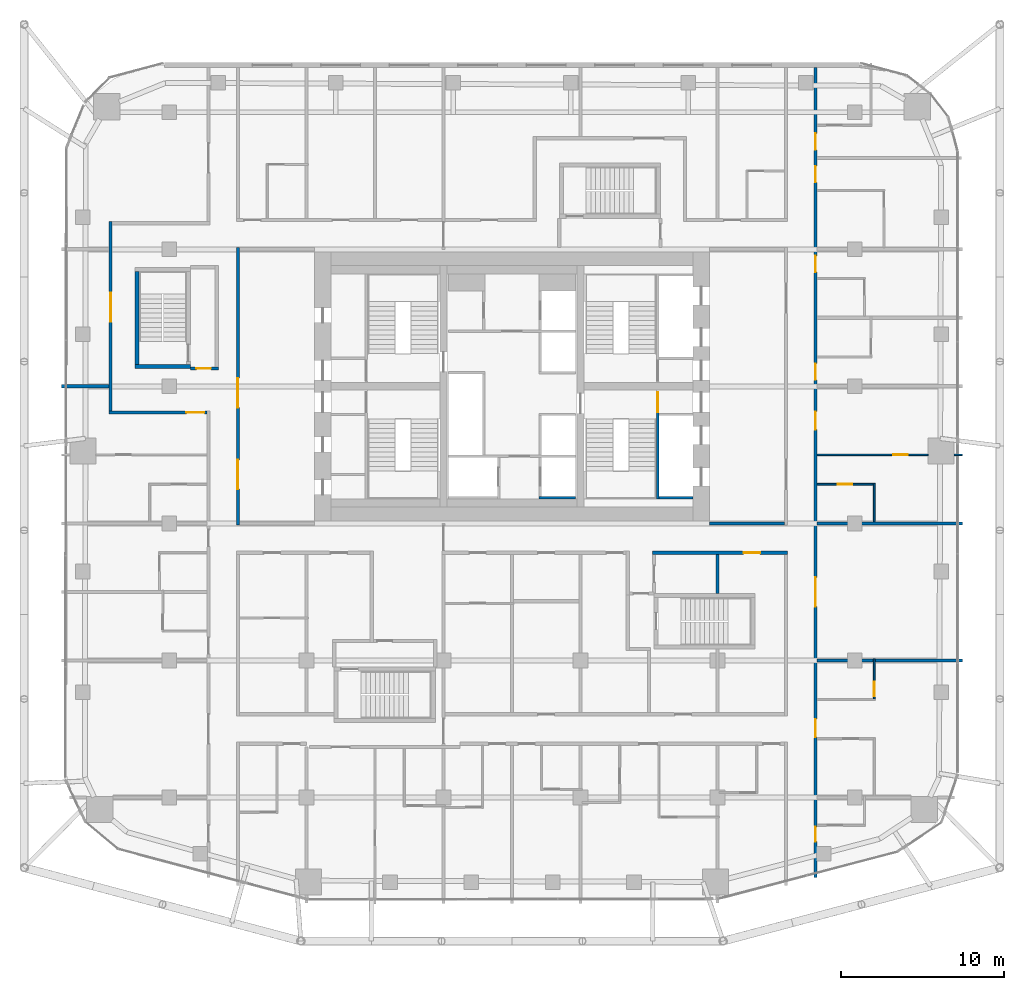
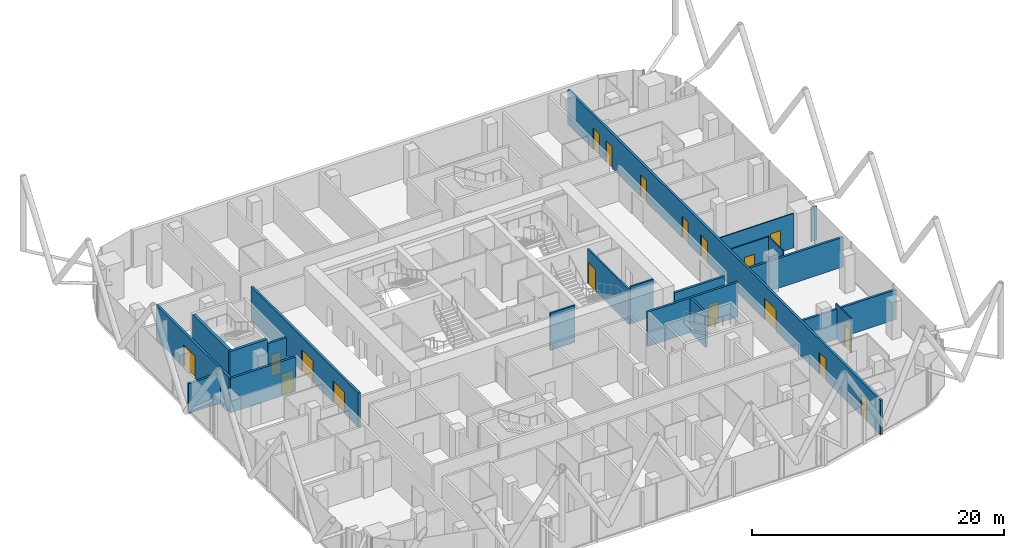
# One storey, part 30 of 36: 21 walls, 18 doors, 18 openings.
"""IFC4 building model written with IfcOpenShell, lengths in metres."""

import ifcopenshell
import ifcopenshell.guid

model = None  # the IFC model being written
_history = None  # IfcOwnerHistory: only IFC2X3 demands one
_inside = {}  # id of a spatial element -> (the spatial element, [elements in it])
_under = {}  # id of a project, library or spatial element -> (it, [spatial elements below it])
_declared = {}  # id of a project -> (the project, [libraries it declares])
_typed = {}  # id of a type object -> (the type object, [elements of that type])
_made_of = {}  # id of a material, layer set ... -> (it, [elements and type objects made of it])


def new_model(schema):
    """Start an empty IFC model of exactly this schema.

    Asked for "IFC4X3", IfcOpenShell would pick the latest addendum, in which some entities
    have other attributes; the version numbers below select the first issue.
    IFC2X3 requires an IfcOwnerHistory on every rooted entity: one is made here for all.
    """
    global model, _history
    if schema == "IFC4X3":
        model = ifcopenshell.file(schema_version=(4, 3, 0, 0))
    else:
        model = ifcopenshell.file(schema=schema)
    _inside.clear()
    _under.clear()
    _declared.clear()
    _typed.clear()
    _made_of.clear()
    _history = None
    if model.schema == "IFC2X3":
        org = make("IfcOrganization", Name="unknown")
        user = make(
            "IfcPersonAndOrganization",
            ThePerson=make("IfcPerson", FamilyName="unknown"),
            TheOrganization=org,
        )
        app = make(
            "IfcApplication",
            ApplicationDeveloper=org,
            Version="unknown",
            ApplicationFullName="unknown",
            ApplicationIdentifier="unknown",
        )
        _history = make(
            "IfcOwnerHistory",
            OwningUser=user,
            OwningApplication=app,
            ChangeAction="ADDED",
            CreationDate=0,
        )
    return model


def make(cls, **values):
    """One entity of the class cls with the attributes given. An attribute that is None is left unset."""
    return model.create_entity(
        cls, **{name: value for name, value in values.items() if value is not None}
    )


def rooted(cls, **values):
    """An entity with a GlobalId (a new one), such as an element, a storey or a relation."""
    return make(cls, GlobalId=ifcopenshell.guid.new(), OwnerHistory=_history, **values)


def si_unit(unit_type, name, prefix=None):
    """IfcSIUnit, for example si_unit("LENGTHUNIT", "METRE", prefix="MILLI")."""
    return make("IfcSIUnit", UnitType=unit_type, Prefix=prefix, Name=name)


def assignment(units):
    """IfcUnitAssignment: the units of a project."""
    return None if units is None else make("IfcUnitAssignment", Units=units)


def point(xyz):
    """IfcCartesianPoint."""
    return None if xyz is None else make("IfcCartesianPoint", Coordinates=xyz)


def direction(xyz):
    """IfcDirection."""
    return None if xyz is None else make("IfcDirection", DirectionRatios=xyz)


def frame(location, z_axis=None, x_axis=None):
    """IfcAxis2Placement3D, a coordinate frame: its origin and axes. An axis left out is left unset."""
    return make(
        "IfcAxis2Placement3D",
        Location=point(location),
        Axis=direction(z_axis),
        RefDirection=direction(x_axis),
    )


def frame_2d(location, x_axis=None):
    """IfcAxis2Placement2D, a coordinate frame in the plane: its origin and x axis."""
    return make(
        "IfcAxis2Placement2D", Location=point(location), RefDirection=direction(x_axis)
    )


def origin():
    """The frame at (0, 0, 0) with its axes left unset."""
    return frame((0.0, 0.0, 0.0))


def place(relative_to, where):
    """IfcLocalPlacement: puts the frame where relative to a parent placement (None: the world)."""
    return make(
        "IfcLocalPlacement", PlacementRelTo=relative_to, RelativePlacement=where
    )


def context(
    kind, dimensions, precision=None, world=None, true_north=None, identifier=None
):
    """IfcGeometricRepresentationContext, for example the 3D "Model" context."""
    return make(
        "IfcGeometricRepresentationContext",
        ContextIdentifier=identifier,
        ContextType=kind,
        CoordinateSpaceDimension=dimensions,
        Precision=precision,
        WorldCoordinateSystem=world,
        TrueNorth=true_north,
    )


def subcontext(parent, identifier, kind, view, scale=None):
    """IfcGeometricRepresentationSubContext, for example "Body" below "Model"."""
    return make(
        "IfcGeometricRepresentationSubContext",
        ContextIdentifier=identifier,
        ContextType=kind,
        ParentContext=parent,
        TargetScale=scale,
        TargetView=view,
    )


def project(units=None, contexts=None):
    """IfcProject with its units and contexts."""
    return rooted(
        "IfcProject",
        Name="project",
        RepresentationContexts=contexts,
        UnitsInContext=assignment(units),
    )


def spatial(cls, under=None, at=None, **own):
    """A site, building, storey or space (cls), placed at a placement, below another one or the project."""
    s = rooted(cls, ObjectPlacement=at, **own)
    if under is not None:
        _under.setdefault(under.id(), (under, []))[1].append(s)
    return s


def profile(cls, at=None, kind="AREA", **sizes):
    """A parametric profile (cls). Its sizes go by their IFC names, for example OverallWidth=200.0."""
    return make(cls, ProfileType=kind, Position=at, **sizes)


def rectangle(**sizes):
    """IfcRectangleProfileDef."""
    return profile("IfcRectangleProfileDef", **sizes)


def extrude(swept, where, along, depth):
    """IfcExtrudedAreaSolid: the profile swept, set in the frame where, extruded along a direction by depth."""
    return make(
        "IfcExtrudedAreaSolid",
        SweptArea=swept,
        Position=where,
        ExtrudedDirection=direction(along),
        Depth=depth,
    )


def shape(context_of_items, identifier, shape_type, items):
    """IfcShapeRepresentation: the items that make up one representation, for example the "Body"."""
    return make(
        "IfcShapeRepresentation",
        ContextOfItems=context_of_items,
        RepresentationIdentifier=identifier,
        RepresentationType=shape_type,
        Items=items,
    )


def material(Name=None, Category=None):
    """IfcMaterial."""
    return make("IfcMaterial", Name=Name, Category=Category)


def layer(
    of_material, thickness, ventilated=None, Name=None, Category=None, Priority=None
):
    """IfcMaterialLayer: one layer of a wall or slab, of a material (None: an air gap)."""
    return make(
        "IfcMaterialLayer",
        Material=of_material,
        LayerThickness=thickness,
        IsVentilated=ventilated,
        Name=Name,
        Category=Category,
        Priority=Priority,
    )


def layer_set(layers, Name=None):
    """IfcMaterialLayerSet."""
    return make("IfcMaterialLayerSet", MaterialLayers=layers, LayerSetName=Name)


def made_of(thing, what):
    """Note that an element or type object is made of a material, layer set ...; save() writes the relation."""
    if what is not None:
        _made_of.setdefault(what.id(), (what, []))[1].append(thing)
    return thing


def type_object(cls, material=None, **own):
    """A type object (cls), such as IfcWallType, which elements share."""
    return made_of(rooted(cls, **own), material)


def element(
    cls,
    number,
    at=None,
    inside=None,
    cuts=None,
    type_object=None,
    material=None,
    context=None,
    identifier="Body",
    shape_type=None,
    held_by="IfcProductDefinitionShape",
    body=None,
    shapes=None,
    **own,
):
    """One element of the class cls, such as IfcWall. Its Tag is "e" and its number.

    at: its placement. inside: the storey or other place that contains it. cuts: it is an
    opening in that element (IfcRelVoidsElement). A single representation is given by context,
    identifier, shape_type and body (its items); several are given by shapes. held_by: the class
    of the entity that holds the representations. save() writes the other relations.
    """
    e = rooted(cls, Tag="e%d" % number, ObjectPlacement=at, **own)
    if body is not None:
        shapes = [shape(context, identifier, shape_type, body)]
    if shapes is not None:
        e.Representation = make(held_by, Representations=shapes)
    if inside is not None:
        _inside.setdefault(inside.id(), (inside, []))[1].append(e)
    if cuts is not None:
        rooted(
            "IfcRelVoidsElement", RelatingBuildingElement=cuts, RelatedOpeningElement=e
        )
    if type_object is not None:
        _typed.setdefault(type_object.id(), (type_object, []))[1].append(e)
    return made_of(e, material)


def fill(opening, filler):
    """IfcRelFillsElement: the door or window that sits in an opening."""
    return rooted(
        "IfcRelFillsElement",
        RelatingOpeningElement=opening,
        RelatedBuildingElement=filler,
    )


def aggregate(whole, parts):
    """IfcRelAggregates: a whole, such as a stair, and the parts it consists of."""
    return rooted("IfcRelAggregates", RelatingObject=whole, RelatedObjects=parts)


def save(model, path):
    """Write the relations noted so far, then the file.

    IfcRelAggregates (storeys below a building ...), IfcRelContainedInSpatialStructure (elements
    in a storey), IfcRelDefinesByType, IfcRelAssociatesMaterial and IfcRelDeclares: one each for
    every whole, place, type object, material and project.
    """
    for whole, parts in _under.values():
        aggregate(whole, parts)
    for where, things in _inside.values():
        rooted(
            "IfcRelContainedInSpatialStructure",
            RelatedElements=things,
            RelatingStructure=where,
        )
    for kind, things in _typed.values():
        rooted("IfcRelDefinesByType", RelatedObjects=things, RelatingType=kind)
    for what, things in _made_of.values():
        rooted("IfcRelAssociatesMaterial", RelatedObjects=things, RelatingMaterial=what)
    for by, libraries in _declared.values():
        rooted("IfcRelDeclares", RelatingContext=by, RelatedDefinitions=libraries)
    model.write(path)


model = new_model("IFC4")

# Units and contexts
model_context = context("Model", 3, precision=1e-05, world=origin(), true_north=direction((0.0, 1.0)))
body_context = subcontext(model_context, "Body", "Model", "MODEL_VIEW")
ifc_project = project(units=[si_unit("LENGTHUNIT", "METRE"), si_unit("AREAUNIT", "SQUARE_METRE"), si_unit("VOLUMEUNIT", "CUBIC_METRE"), si_unit("PLANEANGLEUNIT", "RADIAN"), si_unit("MASSUNIT", "GRAM", prefix="KILO")], contexts=[model_context])

# Site, building, storey
site_placement = place(None, origin())
site = spatial("IfcSite", under=ifc_project, at=site_placement, CompositionType="ELEMENT")
building_placement = place(site_placement, origin())
building = spatial("IfcBuilding", under=site, at=building_placement, Name="Marenta Gate Hotel Tower", CompositionType="ELEMENT")
storey_placement = place(building_placement, frame((0.0, 0.0, 158.89990234375)))
storey = spatial("IfcBuildingStorey", under=building, at=storey_placement, Name="L37", CompositionType="ELEMENT", Elevation=158.89990234375)

# Wall, openings, doors
ifc_material_1 = material(Name="Concrete blockwork", Category="masonry")
ifc_layer_1 = layer(ifc_material_1, 0.199951171875)
ifc_layer_set_1 = layer_set([ifc_layer_1], Name="Concrete blockwork")
wall_type_1 = type_object("IfcWallType", Name="Core boundary wall 200 REI 180", PredefinedType="PARTITIONING", material=ifc_layer_set_1)
wall_1_placement = place(storey_placement, frame((-16.800048828125, -0.10009765625, 0.0), z_axis=(0.0, 0.0, 1.0), x_axis=(0.0, 1.0, 0.0)))
wall_1 = element("IfcWall", 1, at=wall_1_placement, inside=storey, type_object=wall_type_1, Name="L37-CP-BW-W", PredefinedType="PARTITIONING", context=body_context, shape_type="SweptSolid", body=[
    extrude(rectangle(XDim=17.0, YDim=0.199951171875, at=frame_2d((8.5, 0.0))), origin(), (0.0, 0.0, 1.0), 3.340087890625),
])
opening_1_placement = place(wall_1_placement, frame((2.199951171875, 0.0, 0.0)))
opening_1 = element("IfcOpeningElement", 2, at=opening_1_placement, cuts=wall_1, Name="Opening ED-Wa-B", PredefinedType="OPENING", context=body_context, shape_type="SweptSolid", body=[
    extrude(rectangle(XDim=1.800048828125, YDim=2.10009765625, at=frame_2d((0.89990234375, 1.050048828125))), frame((0.0, 0.10009765625, 0.0), z_axis=(0.0, -1.0, 0.0), x_axis=(1.0, 0.0, 0.0)), (0.0, 0.0, 1.0), 0.199951171875),
])
opening_2_placement = place(wall_1_placement, frame((7.199951171875, 0.0, 0.0)))
opening_2 = element("IfcOpeningElement", 3, at=opening_2_placement, cuts=wall_1, Name="Opening ED-Wb-B", PredefinedType="OPENING", context=body_context, shape_type="SweptSolid", body=[
    extrude(rectangle(XDim=1.800048828125, YDim=2.10009765625, at=frame_2d((0.89990234375, 1.050048828125))), frame((0.0, 0.10009765625, 0.0), z_axis=(0.0, -1.0, 0.0), x_axis=(1.0, 0.0, 0.0)), (0.0, 0.0, 1.0), 0.199951171875),
])
ifc_material_2 = material(Name="Steel", Category="steel")
door_type_1 = type_object("IfcDoorType", Name="Core lobby entrance door 1800x2100 EI 60", OperationType="DOUBLE_DOOR_SINGLE_SWING", PredefinedType="DOOR", material=ifc_material_2)
door_1_placement = place(opening_1_placement, origin())
door_1 = element("IfcDoor", 4, at=door_1_placement, inside=storey, type_object=door_type_1, Name="ED-Wa-B", OperationType="DOUBLE_DOOR_SINGLE_SWING", OverallHeight=2.10009765625, OverallWidth=1.800048828125, PredefinedType="DOOR", context=body_context, shape_type="SweptSolid", body=[
    extrude(rectangle(XDim=1.800048828125, YDim=2.10009765625, at=frame_2d((0.89990234375, 1.050048828125))), frame((0.0, 0.02490234375, 0.0), z_axis=(0.0, -1.0, 0.0), x_axis=(1.0, 0.0, 0.0)), (0.0, 0.0, 1.0), 0.050048828125),
])
fill(opening_1, door_1)
door_2_placement = place(opening_2_placement, origin())
door_2 = element("IfcDoor", 5, at=door_2_placement, inside=storey, type_object=door_type_1, Name="ED-Wb-B", OperationType="DOUBLE_DOOR_SINGLE_SWING", OverallHeight=2.10009765625, OverallWidth=1.800048828125, PredefinedType="DOOR", context=body_context, shape_type="SweptSolid", body=[
    extrude(rectangle(XDim=1.800048828125, YDim=2.10009765625, at=frame_2d((0.89990234375, 1.050048828125))), frame((0.0, 0.02490234375, 0.0), z_axis=(0.0, -1.0, 0.0), x_axis=(1.0, 0.0, 0.0)), (0.0, 0.0, 1.0), 0.050048828125),
])
fill(opening_2, door_2)

# Walls
wall_2_placement = place(storey_placement, frame((12.10009765625, 0.0, 0.0), z_axis=(0.0, 0.0, 1.0), x_axis=(1.0, 0.0, 0.0)))
element("IfcWall", 6, at=wall_2_placement, inside=storey, type_object=wall_type_1, Name="L37-CP-EW-ES", PredefinedType="PARTITIONING", context=body_context, shape_type="SweptSolid", body=[
    extrude(rectangle(XDim=4.599853515625, YDim=0.199951171875, at=frame_2d((2.2998046875, 0.0))), origin(), (0.0, 0.0, 1.0), 2.89013671875),
])
ifc_material_3 = material(Name="Concrete C40", Category="concrete")
ifc_layer_2 = layer(ifc_material_3, 0.14990234375)
ifc_layer_set_2 = layer_set([ifc_layer_2], Name="Concrete C40")
wall_type_2 = type_object("IfcWallType", Name="Core shaft wall 150 REI 180", PredefinedType="SHEAR", material=ifc_layer_set_2)
wall_3_placement = place(storey_placement, frame((9.0, 1.574951171875, 0.0), z_axis=(0.0, 0.0, 1.0), x_axis=(1.0, 0.0, 0.0)))
element("IfcWall", 7, at=wall_3_placement, inside=storey, type_object=wall_type_2, Name="L37-SHF-SW-ES-5", PredefinedType="SHEAR", context=body_context, shape_type="SweptSolid", body=[
    extrude(rectangle(XDim=2.10009765625, YDim=0.14990234375, at=frame_2d((1.050048828125, 0.0))), origin(), (0.0, 0.0, 1.0), 3.60009765625),
])
wall_4_placement = place(storey_placement, frame((1.64990234375, 1.574951171875, 0.0), z_axis=(0.0, 0.0, 1.0), x_axis=(1.0, 0.0, 0.0)))
element("IfcWall", 8, at=wall_4_placement, inside=storey, type_object=wall_type_2, Name="L37-SHF-CE-S-bot", PredefinedType="SHEAR", context=body_context, shape_type="SweptSolid", body=[
    extrude(rectangle(XDim=2.25, YDim=0.14990234375, at=frame_2d((1.125, 0.0))), origin(), (0.0, 0.0, 1.0), 3.60009765625),
])

# Wall, opening, door
ifc_material_4 = material(Name="Concrete C40", Category="concrete")
ifc_layer_3 = layer(ifc_material_4, 0.14990234375)
ifc_layer_set_3 = layer_set([ifc_layer_3], Name="Concrete C40")
wall_type_3 = type_object("IfcWallType", Name="Core stair enclosure wall 150 REI 180", PredefinedType="SHEAR", material=ifc_layer_set_3)
wall_5_placement = place(storey_placement, frame((8.925048828125, 1.5, 0.0), z_axis=(0.0, 0.0, 1.0), x_axis=(0.0, 1.0, 0.0)))
wall_5 = element("IfcWall", 9, at=wall_5_placement, inside=storey, type_object=wall_type_3, Name="L37-SHF-SW-ES-3", PredefinedType="SHEAR", context=body_context, shape_type="SweptSolid", body=[
    extrude(rectangle(XDim=6.60009765625, YDim=0.14990234375, at=frame_2d((3.300048828125, 0.0))), origin(), (0.0, 0.0, 1.0), 3.340087890625),
])
opening_3_placement = place(wall_5_placement, frame((5.324951171875, 0.0, 0.0)))
opening_3 = element("IfcOpeningElement", 10, at=opening_3_placement, cuts=wall_5, Name="Opening SD-ES", PredefinedType="OPENING", context=body_context, shape_type="SweptSolid", body=[
    extrude(rectangle(XDim=1.199951171875, YDim=2.10009765625, at=frame_2d((0.60009765625, 1.050048828125))), frame((0.0, 0.074951171875, 0.0), z_axis=(0.0, -1.0, 0.0), x_axis=(1.0, 0.0, 0.0)), (0.0, 0.0, 1.0), 0.14990234375),
])
ifc_material_5 = material(Name="Steel", Category="steel")
door_type_2 = type_object("IfcDoorType", Name="Core stair door 1200x2100 FD60", OperationType="SINGLE_SWING_LEFT", PredefinedType="DOOR", material=ifc_material_5)
door_3_placement = place(opening_3_placement, origin())
door_3 = element("IfcDoor", 11, at=door_3_placement, inside=storey, type_object=door_type_2, Name="SD-ES", OperationType="SINGLE_SWING_LEFT", OverallHeight=2.10009765625, OverallWidth=1.199951171875, PredefinedType="DOOR", context=body_context, shape_type="SweptSolid", body=[
    extrude(rectangle(XDim=1.199951171875, YDim=2.10009765625, at=frame_2d((0.60009765625, 1.050048828125))), frame((0.0, 0.02490234375, 0.0), z_axis=(0.0, -1.0, 0.0), x_axis=(1.0, 0.0, 0.0)), (0.0, 0.0, 1.0), 0.050048828125),
])
fill(opening_3, door_3)

# Walls
ifc_material_6 = material(Name="Concrete C40", Category="concrete")
ifc_layer_4 = layer(ifc_material_6, 0.25)
ifc_layer_set_4 = layer_set([ifc_layer_4], Name="Concrete C40")
wall_type_4 = type_object("IfcWallType", Name="Remote stair enclosure wall 250 REI 180", PredefinedType="SHEAR", material=ifc_layer_set_4)
wall_6_placement = place(storey_placement, frame((-23.10009765625, 9.625, 0.10009765625), z_axis=(0.0, 0.0, 1.0), x_axis=(1.0, 0.0, 0.0)))
element("IfcWall", 12, at=wall_6_placement, inside=storey, type_object=wall_type_4, Name="L37-RS-Z1-3-W1", PredefinedType="SHEAR", context=body_context, shape_type="SweptSolid", body=[
    extrude(rectangle(XDim=3.400146484375, YDim=0.25, at=frame_2d((1.7001953125, 0.0))), origin(), (0.0, 0.0, 1.0), 3.60009765625),
])
wall_7_placement = place(storey_placement, frame((-22.97509765625, 9.75, 0.10009765625), z_axis=(0.0, 0.0, 1.0), x_axis=(0.0, 1.0, 0.0)))
element("IfcWall", 13, at=wall_7_placement, inside=storey, type_object=wall_type_4, Name="L37-RS-Z1-3-W3", PredefinedType="SHEAR", context=body_context, shape_type="SweptSolid", body=[
    extrude(rectangle(XDim=5.699951171875, YDim=0.25, at=frame_2d((2.85009765625, 0.0))), origin(), (0.0, 0.0, 1.0), 3.60009765625),
])

# Wall, openings, doors
ifc_material_7 = material(Name="Gypsum board on steel stud", Category="steel")
ifc_layer_5 = layer(ifc_material_7, 0.199951171875)
ifc_layer_set_5 = layer_set([ifc_layer_5], Name="Gypsum board on steel stud")
wall_type_5 = type_object("IfcWallType", Name="Room corridor wall 200 EI 60", PredefinedType="PARTITIONING", material=ifc_layer_set_5)
wall_8_placement = place(storey_placement, frame((18.60009765625, -21.7080078125, 0.0), z_axis=(0.0, 0.0, 1.0), x_axis=(0.0, 1.0, 0.0)))
wall_8 = element("IfcWall", 14, at=wall_8_placement, inside=storey, type_object=wall_type_5, Name="L37-PTN-W009", PredefinedType="PARTITIONING", context=body_context, shape_type="SweptSolid", body=[
    extrude(rectangle(XDim=49.64794921875, YDim=0.199951171875, at=frame_2d((24.823974609375, 0.0))), origin(), (0.0, 0.0, 1.0), 3.340087890625),
])
opening_4_placement = place(wall_8_placement, frame((2.2041015625, 0.0, 0.0)))
opening_4 = element("IfcOpeningElement", 15, at=opening_4_placement, cuts=wall_8, Name="Opening G14-08", PredefinedType="OPENING", context=body_context, shape_type="SweptSolid", body=[
    extrude(rectangle(XDim=0.89990234375, YDim=2.10009765625, at=frame_2d((0.449951171875, 1.050048828125))), frame((0.0, 0.10009765625, 0.0), z_axis=(0.0, -1.0, 0.0), x_axis=(1.0, 0.0, 0.0)), (0.0, 0.0, 1.0), 0.199951171875),
])
opening_5_placement = place(wall_8_placement, frame((8.60791015625, 0.0, 0.0)))
opening_5 = element("IfcOpeningElement", 16, at=opening_5_placement, cuts=wall_8, Name="Opening G14-10", PredefinedType="OPENING", context=body_context, shape_type="SweptSolid", body=[
    extrude(rectangle(XDim=1.10009765625, YDim=2.10009765625, at=frame_2d((0.550048828125, 1.050048828125))), frame((0.0, 0.10009765625, 0.0), z_axis=(0.0, -1.0, 0.0), x_axis=(1.0, 0.0, 0.0)), (0.0, 0.0, 1.0), 0.199951171875),
])
opening_6_placement = place(wall_8_placement, frame((16.60791015625, 0.0, 0.0)))
opening_6 = element("IfcOpeningElement", 17, at=opening_6_placement, cuts=wall_8, Name="Opening G14-13", PredefinedType="OPENING", context=body_context, shape_type="SweptSolid", body=[
    extrude(rectangle(XDim=1.800048828125, YDim=2.10009765625, at=frame_2d((0.89990234375, 1.050048828125))), frame((0.0, 0.10009765625, 0.0), z_axis=(0.0, -1.0, 0.0), x_axis=(1.0, 0.0, 0.0)), (0.0, 0.0, 1.0), 0.199951171875),
])
opening_7_placement = place(wall_8_placement, frame((27.4580078125, 0.0, 0.0)))
opening_7 = element("IfcOpeningElement", 18, at=opening_7_placement, cuts=wall_8, Name="Opening G14-14", PredefinedType="OPENING", context=body_context, shape_type="SweptSolid", body=[
    extrude(rectangle(XDim=1.10009765625, YDim=2.10009765625, at=frame_2d((0.550048828125, 1.050048828125))), frame((0.0, 0.10009765625, 0.0), z_axis=(0.0, -1.0, 0.0), x_axis=(1.0, 0.0, 0.0)), (0.0, 0.0, 1.0), 0.199951171875),
])
opening_8_placement = place(wall_8_placement, frame((30.508056640625, 0.0, 0.0)))
opening_8 = element("IfcOpeningElement", 19, at=opening_8_placement, cuts=wall_8, Name="Opening G14-17", PredefinedType="OPENING", context=body_context, shape_type="SweptSolid", body=[
    extrude(rectangle(XDim=1.0, YDim=2.10009765625, at=frame_2d((0.5, 1.050048828125))), frame((0.0, 0.10009765625, 0.0), z_axis=(0.0, -1.0, 0.0), x_axis=(1.0, 0.0, 0.0)), (0.0, 0.0, 1.0), 0.199951171875),
])
opening_9_placement = place(wall_8_placement, frame((37.10791015625, 0.0, 0.0)))
opening_9 = element("IfcOpeningElement", 20, at=opening_9_placement, cuts=wall_8, Name="Opening G14-19", PredefinedType="OPENING", context=body_context, shape_type="SweptSolid", body=[
    extrude(rectangle(XDim=1.0, YDim=2.10009765625, at=frame_2d((0.5, 1.050048828125))), frame((0.0, 0.10009765625, 0.0), z_axis=(0.0, -1.0, 0.0), x_axis=(1.0, 0.0, 0.0)), (0.0, 0.0, 1.0), 0.199951171875),
])
opening_10_placement = place(wall_8_placement, frame((42.60791015625, 0.0, 0.0)))
opening_10 = element("IfcOpeningElement", 21, at=opening_10_placement, cuts=wall_8, Name="Opening G14-21", PredefinedType="OPENING", context=body_context, shape_type="SweptSolid", body=[
    extrude(rectangle(XDim=1.0, YDim=2.10009765625, at=frame_2d((0.5, 1.050048828125))), frame((0.0, 0.10009765625, 0.0), z_axis=(0.0, -1.0, 0.0), x_axis=(1.0, 0.0, 0.0)), (0.0, 0.0, 1.0), 0.199951171875),
])
opening_11_placement = place(wall_8_placement, frame((44.60791015625, 0.0, 0.0)))
opening_11 = element("IfcOpeningElement", 22, at=opening_11_placement, cuts=wall_8, Name="Opening G14-23", PredefinedType="OPENING", context=body_context, shape_type="SweptSolid", body=[
    extrude(rectangle(XDim=1.0, YDim=2.10009765625, at=frame_2d((0.5, 1.050048828125))), frame((0.0, 0.10009765625, 0.0), z_axis=(0.0, -1.0, 0.0), x_axis=(1.0, 0.0, 0.0)), (0.0, 0.0, 1.0), 0.199951171875),
])
ifc_material_8 = material(Name="Timber door leaf", Category="wood")
door_type_3 = type_object("IfcDoorType", Name="Guest room door 1000x2100 EI 30", OperationType="NOTDEFINED", PredefinedType="DOOR", material=ifc_material_8)
door_4_placement = place(opening_8_placement, origin())
door_4 = element("IfcDoor", 23, at=door_4_placement, inside=storey, type_object=door_type_3, Name="L37-PD-D017", OperationType="SINGLE_SWING_LEFT", OverallHeight=2.10009765625, OverallWidth=1.0, PredefinedType="DOOR", context=body_context, shape_type="SweptSolid", body=[
    extrude(rectangle(XDim=1.0, YDim=2.10009765625, at=frame_2d((0.5, 1.050048828125))), frame((0.0, 0.02490234375, 0.0), z_axis=(0.0, -1.0, 0.0), x_axis=(1.0, 0.0, 0.0)), (0.0, 0.0, 1.0), 0.050048828125),
])
fill(opening_8, door_4)
door_5_placement = place(opening_9_placement, origin())
door_5 = element("IfcDoor", 24, at=door_5_placement, inside=storey, type_object=door_type_3, Name="L37-PD-D019", OperationType="SINGLE_SWING_LEFT", OverallHeight=2.10009765625, OverallWidth=1.0, PredefinedType="DOOR", context=body_context, shape_type="SweptSolid", body=[
    extrude(rectangle(XDim=1.0, YDim=2.10009765625, at=frame_2d((0.5, 1.050048828125))), frame((0.0, 0.02490234375, 0.0), z_axis=(0.0, -1.0, 0.0), x_axis=(1.0, 0.0, 0.0)), (0.0, 0.0, 1.0), 0.050048828125),
])
fill(opening_9, door_5)
door_6_placement = place(opening_10_placement, origin())
door_6 = element("IfcDoor", 25, at=door_6_placement, inside=storey, type_object=door_type_3, Name="L37-PD-D021", OperationType="SINGLE_SWING_LEFT", OverallHeight=2.10009765625, OverallWidth=1.0, PredefinedType="DOOR", context=body_context, shape_type="SweptSolid", body=[
    extrude(rectangle(XDim=1.0, YDim=2.10009765625, at=frame_2d((0.5, 1.050048828125))), frame((0.0, 0.02490234375, 0.0), z_axis=(0.0, -1.0, 0.0), x_axis=(1.0, 0.0, 0.0)), (0.0, 0.0, 1.0), 0.050048828125),
])
fill(opening_10, door_6)
door_7_placement = place(opening_11_placement, origin())
door_7 = element("IfcDoor", 26, at=door_7_placement, inside=storey, type_object=door_type_3, Name="L37-PD-D023", OperationType="SINGLE_SWING_LEFT", OverallHeight=2.10009765625, OverallWidth=1.0, PredefinedType="DOOR", context=body_context, shape_type="SweptSolid", body=[
    extrude(rectangle(XDim=1.0, YDim=2.10009765625, at=frame_2d((0.5, 1.050048828125))), frame((0.0, 0.02490234375, 0.0), z_axis=(0.0, -1.0, 0.0), x_axis=(1.0, 0.0, 0.0)), (0.0, 0.0, 1.0), 0.050048828125),
])
fill(opening_11, door_7)
ifc_material_9 = material(Name="Timber door leaf", Category="wood")
door_type_4 = type_object("IfcDoorType", Name="Guest room door 1100x2100 EI 30", OperationType="NOTDEFINED", PredefinedType="DOOR", material=ifc_material_9)
door_8_placement = place(opening_5_placement, origin())
door_8 = element("IfcDoor", 27, at=door_8_placement, inside=storey, type_object=door_type_4, Name="L37-PD-D010", OperationType="SINGLE_SWING_RIGHT", OverallHeight=2.10009765625, OverallWidth=1.10009765625, PredefinedType="DOOR", context=body_context, shape_type="SweptSolid", body=[
    extrude(rectangle(XDim=1.10009765625, YDim=2.10009765625, at=frame_2d((0.550048828125, 1.050048828125))), frame((0.0, 0.02490234375, 0.0), z_axis=(0.0, -1.0, 0.0), x_axis=(1.0, 0.0, 0.0)), (0.0, 0.0, 1.0), 0.050048828125),
])
fill(opening_5, door_8)
door_9_placement = place(opening_7_placement, origin())
door_9 = element("IfcDoor", 28, at=door_9_placement, inside=storey, type_object=door_type_4, Name="L37-PD-D014", OperationType="SINGLE_SWING_RIGHT", OverallHeight=2.10009765625, OverallWidth=1.10009765625, PredefinedType="DOOR", context=body_context, shape_type="SweptSolid", body=[
    extrude(rectangle(XDim=1.10009765625, YDim=2.10009765625, at=frame_2d((0.550048828125, 1.050048828125))), frame((0.0, 0.02490234375, 0.0), z_axis=(0.0, -1.0, 0.0), x_axis=(1.0, 0.0, 0.0)), (0.0, 0.0, 1.0), 0.050048828125),
])
fill(opening_7, door_9)
ifc_material_10 = material(Name="Timber door leaf", Category="wood")
door_type_5 = type_object("IfcDoorType", Name="Guest room door 900x2100 EI 30", OperationType="NOTDEFINED", PredefinedType="DOOR", material=ifc_material_10)
door_10_placement = place(opening_4_placement, origin())
door_10 = element("IfcDoor", 29, at=door_10_placement, inside=storey, type_object=door_type_5, Name="L37-PD-D008", OperationType="SINGLE_SWING_LEFT", OverallHeight=2.10009765625, OverallWidth=0.89990234375, PredefinedType="DOOR", context=body_context, shape_type="SweptSolid", body=[
    extrude(rectangle(XDim=0.89990234375, YDim=2.10009765625, at=frame_2d((0.449951171875, 1.050048828125))), frame((0.0, 0.02490234375, 0.0), z_axis=(0.0, -1.0, 0.0), x_axis=(1.0, 0.0, 0.0)), (0.0, 0.0, 1.0), 0.050048828125),
])
fill(opening_4, door_10)
ifc_material_11 = material(Name="Timber door leaf", Category="wood")
door_type_6 = type_object("IfcDoorType", Name="Room amenity door 1800x2100 EI 30", OperationType="DOUBLE_DOOR_SINGLE_SWING", PredefinedType="DOOR", material=ifc_material_11)
door_11_placement = place(opening_6_placement, origin())
door_11 = element("IfcDoor", 30, at=door_11_placement, inside=storey, type_object=door_type_6, Name="L37-PD-D013", OperationType="DOUBLE_DOOR_SINGLE_SWING", OverallHeight=2.10009765625, OverallWidth=1.800048828125, PredefinedType="DOOR", context=body_context, shape_type="SweptSolid", body=[
    extrude(rectangle(XDim=1.800048828125, YDim=2.10009765625, at=frame_2d((0.89990234375, 1.050048828125))), frame((0.0, 0.02490234375, 0.0), z_axis=(0.0, -1.0, 0.0), x_axis=(1.0, 0.0, 0.0)), (0.0, 0.0, 1.0), 0.050048828125),
])
fill(opening_6, door_11)

# Wall, opening, door
wall_9_placement = place(storey_placement, frame((8.60009765625, -1.800048828125, 0.0), z_axis=(0.0, 0.0, 1.0), x_axis=(1.0, 0.0, 0.0)))
wall_9 = element("IfcWall", 31, at=wall_9_placement, inside=storey, type_object=wall_type_5, Name="L37-PTN-W063", PredefinedType="PARTITIONING", context=body_context, shape_type="SweptSolid", body=[
    extrude(rectangle(XDim=8.2998046875, YDim=0.199951171875, at=frame_2d((4.14990234375, 0.0))), origin(), (0.0, 0.0, 1.0), 3.340087890625),
])
opening_12_placement = place(wall_9_placement, frame((5.60009765625, 0.0, 0.0)))
opening_12 = element("IfcOpeningElement", 32, at=opening_12_placement, cuts=wall_9, Name="Opening G14-07", PredefinedType="OPENING", context=body_context, shape_type="SweptSolid", body=[
    extrude(rectangle(XDim=1.0, YDim=2.10009765625, at=frame_2d((0.5, 1.050048828125))), frame((0.0, 0.10009765625, 0.0), z_axis=(0.0, -1.0, 0.0), x_axis=(1.0, 0.0, 0.0)), (0.0, 0.0, 1.0), 0.199951171875),
])
ifc_material_12 = material(Name="Timber door leaf", Category="wood")
door_type_7 = type_object("IfcDoorType", Name="Room amenity door 1000x2100 EI 30", OperationType="NOTDEFINED", PredefinedType="DOOR", material=ifc_material_12)
door_12_placement = place(opening_12_placement, origin())
door_12 = element("IfcDoor", 33, at=door_12_placement, inside=storey, type_object=door_type_7, Name="L37-PD-D007", OperationType="SINGLE_SWING_LEFT", OverallHeight=2.10009765625, OverallWidth=1.0, PredefinedType="DOOR", context=body_context, shape_type="SweptSolid", body=[
    extrude(rectangle(XDim=1.0, YDim=2.10009765625, at=frame_2d((0.5, 1.050048828125))), frame((0.0, 0.02490234375, 0.0), z_axis=(0.0, -1.0, 0.0), x_axis=(1.0, 0.0, 0.0)), (0.0, 0.0, 1.0), 0.050048828125),
])
fill(opening_12, door_12)

wall_10_placement = place(storey_placement, frame((-24.699951171875, 6.800048828125, 0.0), z_axis=(0.0, 0.0, 1.0), x_axis=(1.0, 0.0, 0.0)))
wall_10 = element("IfcWall", 34, at=wall_10_placement, inside=storey, type_object=wall_type_5, Name="L37-PTN-W079", PredefinedType="PARTITIONING", context=body_context, shape_type="SweptSolid", body=[
    extrude(rectangle(XDim=6.0, YDim=0.199951171875, at=frame_2d((3.0, 0.0))), origin(), (0.0, 0.0, 1.0), 3.340087890625),
])
opening_13_placement = place(wall_10_placement, frame((4.75, 0.0, 0.0)))
opening_13 = element("IfcOpeningElement", 35, at=opening_13_placement, cuts=wall_10, Name="Opening G14-50", PredefinedType="OPENING", context=body_context, shape_type="SweptSolid", body=[
    extrude(rectangle(XDim=1.10009765625, YDim=2.10009765625, at=frame_2d((0.550048828125, 1.050048828125))), frame((0.0, 0.10009765625, 0.0), z_axis=(0.0, -1.0, 0.0), x_axis=(1.0, 0.0, 0.0)), (0.0, 0.0, 1.0), 0.199951171875),
])
door_13_placement = place(opening_13_placement, origin())
door_13 = element("IfcDoor", 36, at=door_13_placement, inside=storey, type_object=door_type_4, Name="L37-PD-D050", OperationType="SINGLE_SWING_LEFT", OverallHeight=2.10009765625, OverallWidth=1.10009765625, PredefinedType="DOOR", context=body_context, shape_type="SweptSolid", body=[
    extrude(rectangle(XDim=1.10009765625, YDim=2.10009765625, at=frame_2d((0.550048828125, 1.050048828125))), frame((0.0, 0.02490234375, 0.0), z_axis=(0.0, -1.0, 0.0), x_axis=(1.0, 0.0, 0.0)), (0.0, 0.0, 1.0), 0.050048828125),
])
fill(opening_13, door_13)

wall_11_placement = place(storey_placement, frame((-24.60009765625, 6.89990234375, 0.0), z_axis=(0.0, 0.0, 1.0), x_axis=(0.0, 1.0, 0.0)))
wall_11 = element("IfcWall", 37, at=wall_11_placement, inside=storey, type_object=wall_type_5, Name="L37-PTN-W116", PredefinedType="PARTITIONING", context=body_context, shape_type="SweptSolid", body=[
    extrude(rectangle(XDim=11.60009765625, YDim=0.199951171875, at=frame_2d((5.800048828125, 0.0))), origin(), (0.0, 0.0, 1.0), 3.340087890625),
])
opening_14_placement = place(wall_11_placement, frame((5.449951171875, 0.0, 0.0)))
opening_14 = element("IfcOpeningElement", 38, at=opening_14_placement, cuts=wall_11, Name="Opening G14-53", PredefinedType="OPENING", context=body_context, shape_type="SweptSolid", body=[
    extrude(rectangle(XDim=1.800048828125, YDim=2.10009765625, at=frame_2d((0.89990234375, 1.050048828125))), frame((0.0, 0.10009765625, 0.0), z_axis=(0.0, -1.0, 0.0), x_axis=(1.0, 0.0, 0.0)), (0.0, 0.0, 1.0), 0.199951171875),
])
door_14_placement = place(opening_14_placement, origin())
door_14 = element("IfcDoor", 39, at=door_14_placement, inside=storey, type_object=door_type_6, Name="L37-PD-D053", OperationType="DOUBLE_DOOR_SINGLE_SWING", OverallHeight=2.10009765625, OverallWidth=1.800048828125, PredefinedType="DOOR", context=body_context, shape_type="SweptSolid", body=[
    extrude(rectangle(XDim=1.800048828125, YDim=2.10009765625, at=frame_2d((0.89990234375, 1.050048828125))), frame((0.0, 0.02490234375, 0.0), z_axis=(0.0, -1.0, 0.0), x_axis=(1.0, 0.0, 0.0)), (0.0, 0.0, 1.0), 0.050048828125),
])
fill(opening_14, door_14)

ifc_material_13 = material(Name="Concrete blockwork", Category="masonry")
ifc_layer_6 = layer(ifc_material_13, 0.199951171875)
ifc_layer_set_6 = layer_set([ifc_layer_6], Name="Concrete blockwork")
wall_type_6 = type_object("IfcWallType", Name="Room corridor wall 200 REI 180", PredefinedType="PARTITIONING", material=ifc_layer_set_6)
wall_12_placement = place(storey_placement, frame((-19.699951171875, 9.5, 0.0), z_axis=(0.0, 0.0, 1.0), x_axis=(1.0, 0.0, 0.0)))
wall_12 = element("IfcWall", 40, at=wall_12_placement, inside=storey, type_object=wall_type_6, Name="L37-PTN-W085", PredefinedType="PARTITIONING", context=body_context, shape_type="SweptSolid", body=[
    extrude(rectangle(XDim=1.699951171875, YDim=0.199951171875, at=frame_2d((0.85009765625, 0.0))), origin(), (0.0, 0.0, 1.0), 3.340087890625),
])
opening_15_placement = place(wall_12_placement, frame((0.35009765625, 0.0, 0.0)))
opening_15 = element("IfcOpeningElement", 41, at=opening_15_placement, cuts=wall_12, Name="Opening G14-55", PredefinedType="OPENING", context=body_context, shape_type="SweptSolid", body=[
    extrude(rectangle(XDim=0.89990234375, YDim=2.10009765625, at=frame_2d((0.449951171875, 1.050048828125))), frame((0.0, 0.10009765625, 0.0), z_axis=(0.0, -1.0, 0.0), x_axis=(1.0, 0.0, 0.0)), (0.0, 0.0, 1.0), 0.199951171875),
])
ifc_material_14 = material(Name="Hollow steel door set", Category="steel")
door_type_8 = type_object("IfcDoorType", Name="Stair vestibule door 900x2100 EI 60", OperationType="NOTDEFINED", PredefinedType="DOOR", material=ifc_material_14)
door_15_placement = place(opening_15_placement, origin())
door_15 = element("IfcDoor", 42, at=door_15_placement, inside=storey, type_object=door_type_8, Name="L37-PD-D055", OperationType="SINGLE_SWING_RIGHT", OverallHeight=2.10009765625, OverallWidth=0.89990234375, PredefinedType="DOOR", context=body_context, shape_type="SweptSolid", body=[
    extrude(rectangle(XDim=0.89990234375, YDim=2.10009765625, at=frame_2d((0.449951171875, 1.050048828125))), frame((0.0, 0.02490234375, 0.0), z_axis=(0.0, -1.0, 0.0), x_axis=(1.0, 0.0, 0.0)), (0.0, 0.0, 1.0), 0.050048828125),
])
fill(opening_15, door_15)

ifc_material_15 = material(Name="Gypsum board on steel stud", Category="steel")
ifc_layer_7 = layer(ifc_material_15, 0.10009765625)
ifc_layer_set_7 = layer_set([ifc_layer_7], Name="Gypsum board on steel stud")
wall_type_7 = type_object("IfcWallType", Name="Room partition 100", PredefinedType="PARTITIONING", material=ifc_layer_set_7)
wall_13_placement = place(storey_placement, frame((22.199951171875, -10.75, 0.0), z_axis=(0.0, 0.0, 1.0), x_axis=(0.0, 1.0, 0.0)))
wall_13 = element("IfcWall", 43, at=wall_13_placement, inside=storey, type_object=wall_type_7, Name="L37-PTN-W003", PredefinedType="PARTITIONING", context=body_context, shape_type="SweptSolid", body=[
    extrude(rectangle(XDim=2.449951171875, YDim=0.10009765625, at=frame_2d((1.22509765625, 0.0))), origin(), (0.0, 0.0, 1.0), 3.340087890625),
])
opening_16_placement = place(wall_13_placement, frame((0.14990234375, 0.0, 0.0)))
opening_16 = element("IfcOpeningElement", 44, at=opening_16_placement, cuts=wall_13, Name="Opening G14-12", PredefinedType="OPENING", context=body_context, shape_type="SweptSolid", body=[
    extrude(rectangle(XDim=0.89990234375, YDim=2.10009765625, at=frame_2d((0.449951171875, 1.050048828125))), frame((0.0, 0.050048828125, 0.0), z_axis=(0.0, -1.0, 0.0), x_axis=(1.0, 0.0, 0.0)), (0.0, 0.0, 1.0), 0.10009765625),
])
ifc_material_16 = material(Name="Timber door leaf", Category="wood")
door_type_9 = type_object("IfcDoorType", Name="Room inner door 900x2100", OperationType="NOTDEFINED", PredefinedType="DOOR", material=ifc_material_16)
door_16_placement = place(opening_16_placement, origin())
door_16 = element("IfcDoor", 45, at=door_16_placement, inside=storey, type_object=door_type_9, Name="L37-PD-D012", OperationType="SINGLE_SWING_LEFT", OverallHeight=2.10009765625, OverallWidth=0.89990234375, PredefinedType="DOOR", context=body_context, shape_type="SweptSolid", body=[
    extrude(rectangle(XDim=0.89990234375, YDim=2.10009765625, at=frame_2d((0.449951171875, 1.050048828125))), frame((0.0, 0.02490234375, 0.0), z_axis=(0.0, -1.0, 0.0), x_axis=(1.0, 0.0, 0.0)), (0.0, 0.0, 1.0), 0.050048828125),
])
fill(opening_16, door_16)

# Wall
wall_14_placement = place(storey_placement, frame((22.199951171875, 0.10009765625, 0.0), z_axis=(0.0, 0.0, 1.0), x_axis=(0.0, 1.0, 0.0)))
element("IfcWall", 46, at=wall_14_placement, inside=storey, type_object=wall_type_7, Name="L37-PTN-W004", PredefinedType="PARTITIONING", context=body_context, shape_type="SweptSolid", body=[
    extrude(rectangle(XDim=2.349853515625, YDim=0.10009765625, at=frame_2d((1.1748046875, 0.0))), origin(), (0.0, 0.0, 1.0), 3.340087890625),
])

# Wall, opening, door
wall_15_placement = place(storey_placement, frame((18.699951171875, 2.39990234375, 0.0), z_axis=(0.0, 0.0, 1.0), x_axis=(1.0, 0.0, 0.0)))
wall_15 = element("IfcWall", 47, at=wall_15_placement, inside=storey, type_object=wall_type_7, Name="L37-PTN-W071", PredefinedType="PARTITIONING", context=body_context, shape_type="SweptSolid", body=[
    extrude(rectangle(XDim=3.449951171875, YDim=0.10009765625, at=frame_2d((1.72509765625, 0.0))), origin(), (0.0, 0.0, 1.0), 3.340087890625),
])
opening_17_placement = place(wall_15_placement, frame((1.25, 0.0, 0.0)))
opening_17 = element("IfcOpeningElement", 48, at=opening_17_placement, cuts=wall_15, Name="Opening G14-16", PredefinedType="OPENING", context=body_context, shape_type="SweptSolid", body=[
    extrude(rectangle(XDim=0.89990234375, YDim=2.10009765625, at=frame_2d((0.449951171875, 1.050048828125))), frame((0.0, 0.050048828125, 0.0), z_axis=(0.0, -1.0, 0.0), x_axis=(1.0, 0.0, 0.0)), (0.0, 0.0, 1.0), 0.10009765625),
])
ifc_material_17 = material(Name="Timber door leaf", Category="wood")
door_type_10 = type_object("IfcDoorType", Name="Guest bathroom door 900x2100", OperationType="NOTDEFINED", PredefinedType="DOOR", material=ifc_material_17)
door_17_placement = place(opening_17_placement, origin())
door_17 = element("IfcDoor", 49, at=door_17_placement, inside=storey, type_object=door_type_10, Name="L37-PD-D016", OperationType="SINGLE_SWING_RIGHT", OverallHeight=2.10009765625, OverallWidth=0.89990234375, PredefinedType="DOOR", context=body_context, shape_type="SweptSolid", body=[
    extrude(rectangle(XDim=0.89990234375, YDim=2.10009765625, at=frame_2d((0.449951171875, 1.050048828125))), frame((0.0, 0.02490234375, 0.0), z_axis=(0.0, -1.0, 0.0), x_axis=(1.0, 0.0, 0.0)), (0.0, 0.0, 1.0), 0.050048828125),
])
fill(opening_17, door_17)

wall_16_placement = place(storey_placement, frame((18.699951171875, 4.199951171875, 0.0), z_axis=(0.0, 0.0, 1.0), x_axis=(1.0, 0.0, 0.0)))
wall_16 = element("IfcWall", 50, at=wall_16_placement, inside=storey, type_object=wall_type_7, Name="L37-PTN-W076", PredefinedType="PARTITIONING", context=body_context, shape_type="SweptSolid", body=[
    extrude(rectangle(XDim=6.800048828125, YDim=0.10009765625, at=frame_2d((3.39990234375, 0.0))), origin(), (0.0, 0.0, 1.0), 3.340087890625),
])
opening_18_placement = place(wall_16_placement, frame((4.669921875, 0.0, 0.0)))
opening_18 = element("IfcOpeningElement", 51, at=opening_18_placement, cuts=wall_16, Name="Opening G14-15", PredefinedType="OPENING", context=body_context, shape_type="SweptSolid", body=[
    extrude(rectangle(XDim=0.89990234375, YDim=2.10009765625, at=frame_2d((0.449951171875, 1.050048828125))), frame((0.0, 0.050048828125, 0.0), z_axis=(0.0, -1.0, 0.0), x_axis=(1.0, 0.0, 0.0)), (0.0, 0.0, 1.0), 0.10009765625),
])
door_18_placement = place(opening_18_placement, origin())
door_18 = element("IfcDoor", 52, at=door_18_placement, inside=storey, type_object=door_type_9, Name="L37-PD-D015", OperationType="SINGLE_SWING_LEFT", OverallHeight=2.10009765625, OverallWidth=0.89990234375, PredefinedType="DOOR", context=body_context, shape_type="SweptSolid", body=[
    extrude(rectangle(XDim=0.89990234375, YDim=2.10009765625, at=frame_2d((0.449951171875, 1.050048828125))), frame((0.0, 0.02490234375, 0.0), z_axis=(0.0, -1.0, 0.0), x_axis=(1.0, 0.0, 0.0)), (0.0, 0.0, 1.0), 0.050048828125),
])
fill(opening_18, door_18)

# Walls
wall_17_placement = place(storey_placement, frame((27.10009765625, 4.199951171875, 0.0), z_axis=(0.0, 0.0, 1.0), x_axis=(1.0, 0.0, 0.0)))
element("IfcWall", 53, at=wall_17_placement, inside=storey, type_object=wall_type_7, Name="L37-PTN-W122", PredefinedType="PARTITIONING", context=body_context, shape_type="SweptSolid", body=[
    extrude(rectangle(XDim=0.5, YDim=0.10009765625, at=frame_2d((0.25, 0.0))), origin(), (0.0, 0.0, 1.0), 3.340087890625),
])
ifc_material_18 = material(Name="Gypsum board on steel stud", Category="steel")
ifc_layer_8 = layer(ifc_material_18, 0.199951171875)
ifc_layer_set_8 = layer_set([ifc_layer_8], Name="Gypsum board on steel stud")
wall_type_8 = type_object("IfcWallType", Name="Room party wall 200 EI 60", PredefinedType="PARTITIONING", material=ifc_layer_set_8)
wall_18_placement = place(storey_placement, frame((12.60009765625, -4.300048828125, 0.0), z_axis=(0.0, 0.0, 1.0), x_axis=(0.0, 1.0, 0.0)))
element("IfcWall", 54, at=wall_18_placement, inside=storey, type_object=wall_type_8, Name="L37-PTN-W031", PredefinedType="PARTITIONING", context=body_context, shape_type="SweptSolid", body=[
    extrude(rectangle(XDim=2.400146484375, YDim=0.199951171875, at=frame_2d((1.2001953125, 0.0))), origin(), (0.0, 0.0, 1.0), 3.340087890625),
])
for number, where, z_axis, x_axis, name in (
    (55, (18.699951171875, -8.39990234375, 0.0), (0.0, 0.0, 1.0), (1.0, 0.0, 0.0), "L37-PTN-W042"),
    (56, (18.699951171875, 0.0, 0.0), (0.0, 0.0, 1.0), (1.0, 0.0, 0.0), "L37-PTN-W068"),
):
    element("IfcWall", number, at=place(storey_placement, frame(where, z_axis=z_axis, x_axis=x_axis)), inside=storey, type_object=wall_type_8, Name=name, PredefinedType="PARTITIONING", context=body_context, shape_type="SweptSolid", body=[
        extrude(rectangle(XDim=8.900146484375, YDim=0.199951171875, at=frame_2d((4.4501953125, 0.0))), origin(), (0.0, 0.0, 1.0), 2.89013671875),
    ])
wall_19_placement = place(storey_placement, frame((-27.60009765625, 8.39990234375, 0.0), z_axis=(0.0, 0.0, 1.0), x_axis=(1.0, 0.0, 0.0)))
element("IfcWall", 57, at=wall_19_placement, inside=storey, type_object=wall_type_8, Name="L37-PTN-W082", PredefinedType="PARTITIONING", context=body_context, shape_type="SweptSolid", body=[
    extrude(rectangle(XDim=2.900146484375, YDim=0.199951171875, at=frame_2d((1.4501953125, 0.0))), origin(), (0.0, 0.0, 1.0), 2.89013671875),
])

save(model, "model.ifc")
